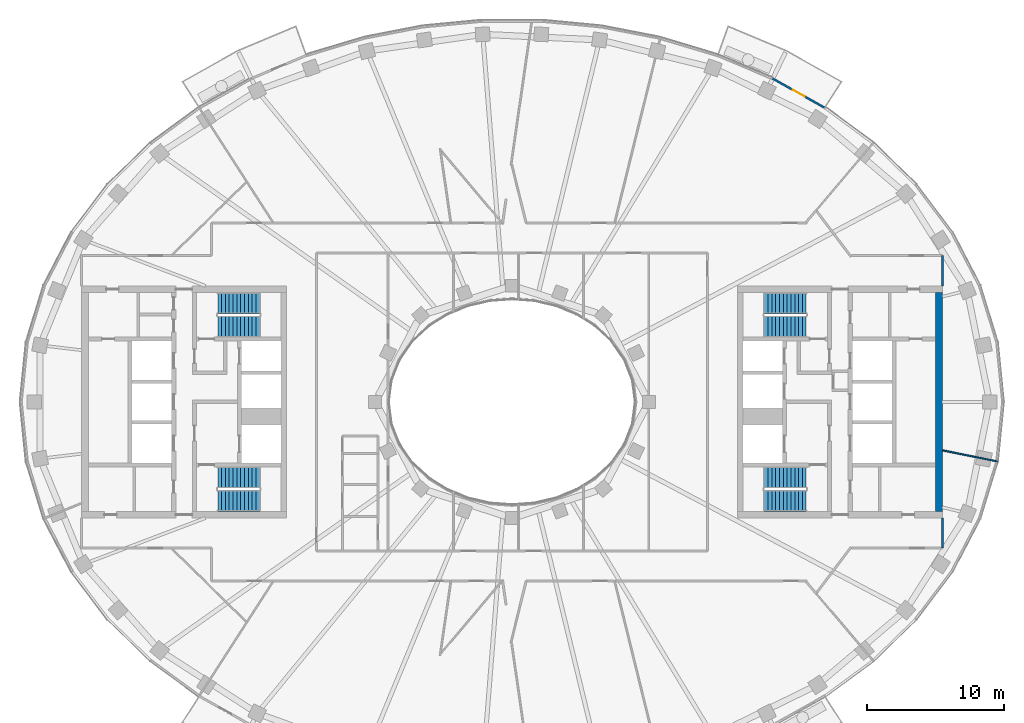
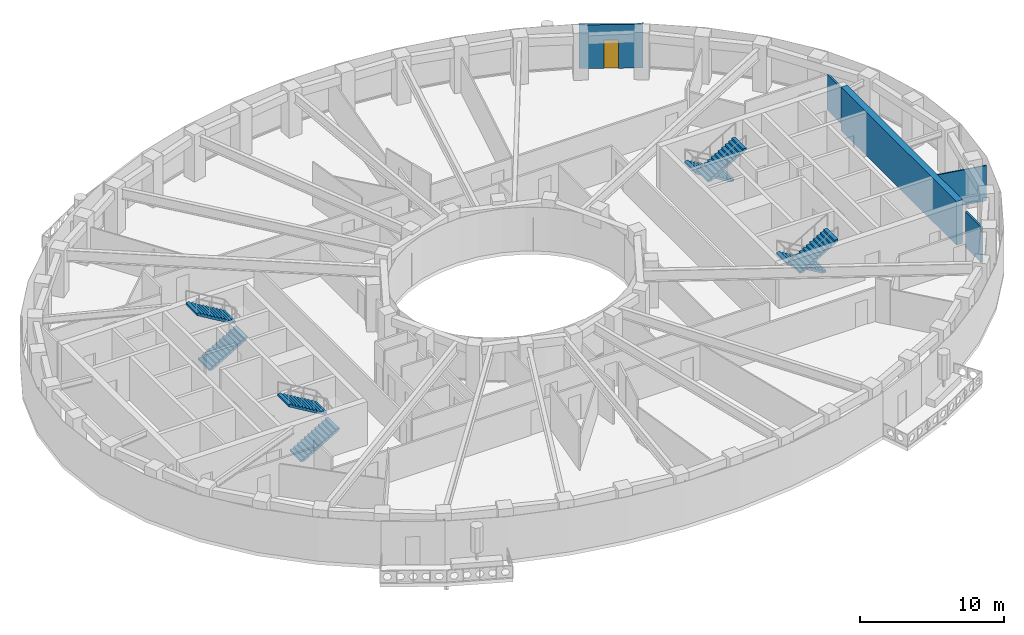
# One storey, part 7 of 15: 8 stair flights, 5 walls, 1 door, 1 opening, 4 elements without a shape of their own.
"""IFC4 building model written with IfcOpenShell, lengths in metres."""

from ifc_helpers import new_model, si_unit, direction, frame, frame_2d, origin, place, context, subcontext, project, spatial, polyline, rectangle, outline, extrude, material, layer, layer_set, type_object, element, fill, aggregate, save


model = new_model("IFC4")

# Units and contexts
model_context = context("Model", 3, precision=1e-05, world=origin(), true_north=direction((0.0, 1.0)))
body_context = subcontext(model_context, "Body", "Model", "MODEL_VIEW")
ifc_project = project(units=[si_unit("LENGTHUNIT", "METRE"), si_unit("AREAUNIT", "SQUARE_METRE"), si_unit("VOLUMEUNIT", "CUBIC_METRE"), si_unit("PLANEANGLEUNIT", "RADIAN"), si_unit("MASSUNIT", "GRAM", prefix="KILO")], contexts=[model_context])

# Site, building, storey
site_placement = place(None, origin())
site = spatial("IfcSite", under=ifc_project, at=site_placement, CompositionType="ELEMENT")
building_placement = place(site_placement, origin())
building = spatial("IfcBuilding", under=site, at=building_placement, Name="Noorbagh Ring Tower", CompositionType="ELEMENT")
storey_placement = place(building_placement, frame((0.0, 0.0, 265.5)))
storey = spatial("IfcBuildingStorey", under=building, at=storey_placement, Name="L56", CompositionType="ELEMENT", Elevation=265.5)

# Walls
ifc_material_1 = material(Name="Concrete C60/75", Category="concrete")
ifc_layer_1 = layer(ifc_material_1, 0.5)
ifc_layer_set_1 = layer_set([ifc_layer_1], Name="Concrete C60/75")
wall_type_1 = type_object("IfcWallType", Name="CORE-WALL-500-C60-75-EI240", PredefinedType="SHEAR", material=ifc_layer_set_1)
wall_1_placement = place(storey_placement, frame((31.25, -8.0, 0.0), z_axis=(0.0, 0.0, 1.0), x_axis=(0.0, 1.0, 0.0)))
element("IfcWall", 1, at=wall_1_placement, inside=storey, type_object=wall_type_1, Name="Core wall E", PredefinedType="SHEAR", context=body_context, shape_type="SweptSolid", body=[
    extrude(rectangle(XDim=16.0, YDim=0.5, at=frame_2d((8.0, 0.0))), origin(), (0.0, 0.0, 1.0), 3.699951171875),
])
ifc_material_2 = material(Name="Gypsum board on steel studs", Category="steel")
ifc_layer_2 = layer(ifc_material_2, 0.14990234375)
ifc_layer_set_2 = layer_set([ifc_layer_2], Name="Gypsum board on steel studs")
wall_type_2 = type_object("IfcWallType", Name="CORRIDOR PARTITION 150 EI 30", PredefinedType="PARTITIONING", material=ifc_layer_set_2)
for number, where, z_axis, x_axis, name in (
    (2, (31.5, -10.699951171875, 0.0), (0.0, 0.0, 1.0), (0.0, 1.0, 0.0), "L56/wall/P63"),
    (3, (31.5, 8.5, 0.0), (0.0, 0.0, 1.0), (0.0, 1.0, 0.0), "L56/wall/P65"),
):
    element("IfcWall", number, at=place(storey_placement, frame(where, z_axis=z_axis, x_axis=x_axis)), inside=storey, type_object=wall_type_2, Name=name, PredefinedType="PARTITIONING", context=body_context, shape_type="SweptSolid", body=[
        extrude(rectangle(XDim=2.199951171875, YDim=0.14990234375, at=frame_2d((1.10009765625, 0.0))), origin(), (0.0, 0.0, 1.0), 3.0),
    ])

# Wall, opening, door
ifc_material_3 = material(Name="Insulated aluminium clad panel", Category="aluminium")
ifc_layer_3 = layer(ifc_material_3, 0.14990234375)
ifc_layer_set_3 = layer_set([ifc_layer_3], Name="Insulated aluminium clad panel")
wall_type_3 = type_object("IfcWallType", Name="ENV-WALL-DOOR", PredefinedType="STANDARD", material=ifc_layer_set_3)
wall_2_placement = place(storey_placement, frame((22.913330078125, 21.508544921875, 0.0), z_axis=(0.0, 0.0, 1.0), x_axis=(-0.872046572975, 0.489422899509, 0.0)))
wall_2 = element("IfcWall", 4, at=wall_2_placement, inside=storey, type_object=wall_type_3, Name="Balcony door wall chord 07", PredefinedType="STANDARD", context=body_context, shape_type="SweptSolid", body=[
    extrude(rectangle(XDim=4.425537109375, YDim=0.14990234375, at=frame_2d((2.212890625, 0.0))), origin(), (0.0, 0.0, 1.0), 3.699951171875),
])
opening_placement = place(wall_2_placement, frame((1.712646484375, 0.0, 0.0)))
opening = element("IfcOpeningElement", 5, at=opening_placement, cuts=wall_2, Name="Opening D-BL", PredefinedType="OPENING", context=body_context, shape_type="SweptSolid", body=[
    extrude(rectangle(XDim=1.0, YDim=2.39990234375, at=frame_2d((0.5, 1.199951171875))), frame((0.0, 0.0849609375, 0.0), z_axis=(0.0, -1.0, 0.0), x_axis=(1.0, 0.0, 0.0)), (0.0, 0.0, 1.0), 0.169921875),
])
ifc_material_4 = material(Name="Aluminium and glass", Category="aluminium")
door_type = type_object("IfcDoorType", Name="ENV-DOOR-BALCONY", OperationType="SINGLE_SWING_LEFT", PredefinedType="DOOR", material=ifc_material_4)
door_placement = place(opening_placement, origin())
door = element("IfcDoor", 6, at=door_placement, inside=storey, type_object=door_type, Name="Balcony door chord 07", OperationType="SINGLE_SWING_LEFT", OverallHeight=2.39990234375, OverallWidth=1.0, PredefinedType="DOOR", context=body_context, shape_type="SweptSolid", body=[
    extrude(rectangle(XDim=1.0, YDim=2.39990234375, at=frame_2d((0.5, 1.199951171875))), frame((0.0, 0.02490234375, 0.0), z_axis=(0.0, -1.0, 0.0), x_axis=(1.0, 0.0, 0.0)), (0.0, 0.0, 1.0), 0.050048828125),
])
fill(opening, door)

# Wall
ifc_material_5 = material(Name="Gypsum board on steel studs", Category="steel")
ifc_layer_4 = layer(ifc_material_5, 0.10009765625)
ifc_layer_set_4 = layer_set([ifc_layer_4], Name="Gypsum board on steel studs")
wall_type_4 = type_object("IfcWallType", Name="PARTITION 100 GYPSUM", PredefinedType="PARTITIONING", material=ifc_layer_set_4)
wall_3_placement = place(storey_placement, frame((31.5, -3.5419921875, 0.0), z_axis=(0.0, 0.0, 1.0), x_axis=(0.980357474535, -0.197228857227, 0.0)))
element("IfcWall", 7, at=wall_3_placement, inside=storey, type_object=wall_type_4, Name="L56/wall/P64", PredefinedType="PARTITIONING", context=body_context, shape_type="SweptSolid", body=[
    extrude(rectangle(XDim=4.09228515625, YDim=0.10009765625, at=frame_2d((2.046142578125, 0.0))), origin(), (0.0, 0.0, 1.0), 3.0),
])

# Stair, stair flights
ifc_material_6 = material(Name="Concrete C40/50", Category="concrete")
stair_type = type_object("IfcStairType", Name="CORE-STAIR", PredefinedType="HALF_TURN_STAIR", material=ifc_material_6)
stair_1_placement = place(storey_placement, origin())
stair_1 = element("IfcStair", 8, at=stair_1_placement, inside=storey, type_object=stair_type, Name="L56 Exit stair ST1", PredefinedType="HALF_TURN_STAIR")
ifc_material_7 = material(Name="Concrete C40/50", Category="concrete")
stair_flight_type = type_object("IfcStairFlightType", Name="CORE-STAIR-FLIGHT", PredefinedType="STRAIGHT", material=ifc_material_7)
stair_flight_1_placement = place(storey_placement, frame((-21.530029296875, 5.52490234375, 0.0), z_axis=(0.0, 0.0, 1.0), x_axis=(1.0, 0.0, 0.0)))
stair_flight_1 = element("IfcStairFlight", 9, at=stair_flight_1_placement, type_object=stair_flight_type, Name="ST1 flight 1", NumberOfRisers=12, NumberOfTreads=11, PredefinedType="STRAIGHT", RiserHeight=0.166666667, TreadLength=0.28, context=body_context, shape_type="SweptSolid", body=[
    extrude(outline(polyline([(0.0, 0.0), (0.0, 0.166748046875), (0.280029296875, 0.166748046875), (0.280029296875, 0.333251953125), (0.56005859375, 0.333251953125), (0.56005859375, 0.5), (0.840087890625, 0.5), (0.840087890625, 0.666748046875), (1.1201171875, 0.666748046875), (1.1201171875, 0.833251953125), (1.39990234375, 0.833251953125), (1.39990234375, 1.0), (1.679931640625, 1.0), (1.679931640625, 1.166748046875), (1.9599609375, 1.166748046875), (1.9599609375, 1.333251953125), (2.239990234375, 1.333251953125), (2.239990234375, 1.5), (2.52001953125, 1.5), (2.52001953125, 1.666748046875), (2.800048828125, 1.666748046875), (2.800048828125, 1.833251953125), (3.080078125, 1.833251953125), (3.080078125, 2.0), (3.080078125, 1.658935546875), (0.29296875, 0.0), (0.0, 0.0)])), frame((0.0, 0.77490234375, 0.0), z_axis=(0.0, -1.0, 0.0), x_axis=(1.0, 0.0, 0.0)), (0.0, 0.0, 1.0), 1.550048828125),
])
stair_flight_2_placement = place(storey_placement, frame((-18.449951171875, 7.22509765625, 2.0), z_axis=(0.0, 0.0, 1.0), x_axis=(-1.0, 0.0, 0.0)))
stair_flight_2 = element("IfcStairFlight", 10, at=stair_flight_2_placement, type_object=stair_flight_type, Name="ST1 flight 2", NumberOfRisers=12, NumberOfTreads=11, PredefinedType="STRAIGHT", RiserHeight=0.166666667, TreadLength=0.28, context=body_context, shape_type="SweptSolid", body=[
    extrude(outline(polyline([(0.0, 0.0), (0.0, 0.166748046875), (0.280029296875, 0.166748046875), (0.280029296875, 0.333251953125), (0.56005859375, 0.333251953125), (0.56005859375, 0.5), (0.840087890625, 0.5), (0.840087890625, 0.666748046875), (1.1201171875, 0.666748046875), (1.1201171875, 0.833251953125), (1.39990234375, 0.833251953125), (1.39990234375, 1.0), (1.679931640625, 1.0), (1.679931640625, 1.166748046875), (1.9599609375, 1.166748046875), (1.9599609375, 1.333251953125), (2.239990234375, 1.333251953125), (2.239990234375, 1.5), (2.52001953125, 1.5), (2.52001953125, 1.666748046875), (2.800048828125, 1.666748046875), (2.800048828125, 1.833251953125), (3.080078125, 1.833251953125), (3.080078125, 2.0), (3.080078125, 1.658935546875), (0.29296875, 0.0), (0.0, 0.0)])), frame((0.0, 0.77490234375, 0.0), z_axis=(0.0, -1.0, 0.0), x_axis=(1.0, 0.0, 0.0)), (0.0, 0.0, 1.0), 1.550048828125),
])
aggregate(stair_1, [stair_flight_1, stair_flight_2])

stair_2_placement = place(storey_placement, origin())
stair_2 = element("IfcStair", 11, at=stair_2_placement, inside=storey, type_object=stair_type, Name="L56 Exit stair ST2", PredefinedType="HALF_TURN_STAIR")
stair_flight_3_placement = place(storey_placement, frame((-21.530029296875, -7.22509765625, 0.0), z_axis=(0.0, 0.0, 1.0), x_axis=(1.0, 0.0, 0.0)))
stair_flight_3 = element("IfcStairFlight", 12, at=stair_flight_3_placement, type_object=stair_flight_type, Name="ST2 flight 1", NumberOfRisers=12, NumberOfTreads=11, PredefinedType="STRAIGHT", RiserHeight=0.166666667, TreadLength=0.28, context=body_context, shape_type="SweptSolid", body=[
    extrude(outline(polyline([(0.0, 0.0), (0.0, 0.166748046875), (0.280029296875, 0.166748046875), (0.280029296875, 0.333251953125), (0.56005859375, 0.333251953125), (0.56005859375, 0.5), (0.840087890625, 0.5), (0.840087890625, 0.666748046875), (1.1201171875, 0.666748046875), (1.1201171875, 0.833251953125), (1.39990234375, 0.833251953125), (1.39990234375, 1.0), (1.679931640625, 1.0), (1.679931640625, 1.166748046875), (1.9599609375, 1.166748046875), (1.9599609375, 1.333251953125), (2.239990234375, 1.333251953125), (2.239990234375, 1.5), (2.52001953125, 1.5), (2.52001953125, 1.666748046875), (2.800048828125, 1.666748046875), (2.800048828125, 1.833251953125), (3.080078125, 1.833251953125), (3.080078125, 2.0), (3.080078125, 1.658935546875), (0.29296875, 0.0), (0.0, 0.0)])), frame((0.0, 0.77490234375, 0.0), z_axis=(0.0, -1.0, 0.0), x_axis=(1.0, 0.0, 0.0)), (0.0, 0.0, 1.0), 1.550048828125),
])
stair_flight_4_placement = place(storey_placement, frame((-18.449951171875, -5.52490234375, 2.0), z_axis=(0.0, 0.0, 1.0), x_axis=(-1.0, 0.0, 0.0)))
stair_flight_4 = element("IfcStairFlight", 13, at=stair_flight_4_placement, type_object=stair_flight_type, Name="ST2 flight 2", NumberOfRisers=12, NumberOfTreads=11, PredefinedType="STRAIGHT", RiserHeight=0.166666667, TreadLength=0.28, context=body_context, shape_type="SweptSolid", body=[
    extrude(outline(polyline([(0.0, 0.0), (0.0, 0.166748046875), (0.280029296875, 0.166748046875), (0.280029296875, 0.333251953125), (0.56005859375, 0.333251953125), (0.56005859375, 0.5), (0.840087890625, 0.5), (0.840087890625, 0.666748046875), (1.1201171875, 0.666748046875), (1.1201171875, 0.833251953125), (1.39990234375, 0.833251953125), (1.39990234375, 1.0), (1.679931640625, 1.0), (1.679931640625, 1.166748046875), (1.9599609375, 1.166748046875), (1.9599609375, 1.333251953125), (2.239990234375, 1.333251953125), (2.239990234375, 1.5), (2.52001953125, 1.5), (2.52001953125, 1.666748046875), (2.800048828125, 1.666748046875), (2.800048828125, 1.833251953125), (3.080078125, 1.833251953125), (3.080078125, 2.0), (3.080078125, 1.658935546875), (0.29296875, 0.0), (0.0, 0.0)])), frame((0.0, 0.77490234375, 0.0), z_axis=(0.0, -1.0, 0.0), x_axis=(1.0, 0.0, 0.0)), (0.0, 0.0, 1.0), 1.550048828125),
])
aggregate(stair_2, [stair_flight_3, stair_flight_4])

stair_3_placement = place(storey_placement, origin())
stair_3 = element("IfcStair", 14, at=stair_3_placement, inside=storey, type_object=stair_type, Name="L56 Exit stair ST3", PredefinedType="HALF_TURN_STAIR")
stair_flight_5_placement = place(storey_placement, frame((21.530029296875, 7.22509765625, 0.0), z_axis=(0.0, 0.0, 1.0), x_axis=(-1.0, 0.0, 0.0)))
stair_flight_5 = element("IfcStairFlight", 15, at=stair_flight_5_placement, type_object=stair_flight_type, Name="ST3 flight 1", NumberOfRisers=12, NumberOfTreads=11, PredefinedType="STRAIGHT", RiserHeight=0.166666667, TreadLength=0.28, context=body_context, shape_type="SweptSolid", body=[
    extrude(outline(polyline([(0.0, 0.0), (0.0, 0.166748046875), (0.280029296875, 0.166748046875), (0.280029296875, 0.333251953125), (0.56005859375, 0.333251953125), (0.56005859375, 0.5), (0.840087890625, 0.5), (0.840087890625, 0.666748046875), (1.1201171875, 0.666748046875), (1.1201171875, 0.833251953125), (1.39990234375, 0.833251953125), (1.39990234375, 1.0), (1.679931640625, 1.0), (1.679931640625, 1.166748046875), (1.9599609375, 1.166748046875), (1.9599609375, 1.333251953125), (2.239990234375, 1.333251953125), (2.239990234375, 1.5), (2.52001953125, 1.5), (2.52001953125, 1.666748046875), (2.800048828125, 1.666748046875), (2.800048828125, 1.833251953125), (3.080078125, 1.833251953125), (3.080078125, 2.0), (3.080078125, 1.658935546875), (0.29296875, 0.0), (0.0, 0.0)])), frame((0.0, 0.77490234375, 0.0), z_axis=(0.0, -1.0, 0.0), x_axis=(1.0, 0.0, 0.0)), (0.0, 0.0, 1.0), 1.550048828125),
])
stair_flight_6_placement = place(storey_placement, frame((18.449951171875, 5.52490234375, 2.0), z_axis=(0.0, 0.0, 1.0), x_axis=(1.0, 0.0, 0.0)))
stair_flight_6 = element("IfcStairFlight", 16, at=stair_flight_6_placement, type_object=stair_flight_type, Name="ST3 flight 2", NumberOfRisers=12, NumberOfTreads=11, PredefinedType="STRAIGHT", RiserHeight=0.166666667, TreadLength=0.28, context=body_context, shape_type="SweptSolid", body=[
    extrude(outline(polyline([(0.0, 0.0), (0.0, 0.166748046875), (0.280029296875, 0.166748046875), (0.280029296875, 0.333251953125), (0.56005859375, 0.333251953125), (0.56005859375, 0.5), (0.840087890625, 0.5), (0.840087890625, 0.666748046875), (1.1201171875, 0.666748046875), (1.1201171875, 0.833251953125), (1.39990234375, 0.833251953125), (1.39990234375, 1.0), (1.679931640625, 1.0), (1.679931640625, 1.166748046875), (1.9599609375, 1.166748046875), (1.9599609375, 1.333251953125), (2.239990234375, 1.333251953125), (2.239990234375, 1.5), (2.52001953125, 1.5), (2.52001953125, 1.666748046875), (2.800048828125, 1.666748046875), (2.800048828125, 1.833251953125), (3.080078125, 1.833251953125), (3.080078125, 2.0), (3.080078125, 1.658935546875), (0.29296875, 0.0), (0.0, 0.0)])), frame((0.0, 0.77490234375, 0.0), z_axis=(0.0, -1.0, 0.0), x_axis=(1.0, 0.0, 0.0)), (0.0, 0.0, 1.0), 1.550048828125),
])
aggregate(stair_3, [stair_flight_5, stair_flight_6])

stair_4_placement = place(storey_placement, origin())
stair_4 = element("IfcStair", 17, at=stair_4_placement, inside=storey, type_object=stair_type, Name="L56 Exit stair ST4", PredefinedType="HALF_TURN_STAIR")
stair_flight_7_placement = place(storey_placement, frame((21.530029296875, -5.52490234375, 0.0), z_axis=(0.0, 0.0, 1.0), x_axis=(-1.0, 0.0, 0.0)))
stair_flight_7 = element("IfcStairFlight", 18, at=stair_flight_7_placement, type_object=stair_flight_type, Name="ST4 flight 1", NumberOfRisers=12, NumberOfTreads=11, PredefinedType="STRAIGHT", RiserHeight=0.166666667, TreadLength=0.28, context=body_context, shape_type="SweptSolid", body=[
    extrude(outline(polyline([(0.0, 0.0), (0.0, 0.166748046875), (0.280029296875, 0.166748046875), (0.280029296875, 0.333251953125), (0.56005859375, 0.333251953125), (0.56005859375, 0.5), (0.840087890625, 0.5), (0.840087890625, 0.666748046875), (1.1201171875, 0.666748046875), (1.1201171875, 0.833251953125), (1.39990234375, 0.833251953125), (1.39990234375, 1.0), (1.679931640625, 1.0), (1.679931640625, 1.166748046875), (1.9599609375, 1.166748046875), (1.9599609375, 1.333251953125), (2.239990234375, 1.333251953125), (2.239990234375, 1.5), (2.52001953125, 1.5), (2.52001953125, 1.666748046875), (2.800048828125, 1.666748046875), (2.800048828125, 1.833251953125), (3.080078125, 1.833251953125), (3.080078125, 2.0), (3.080078125, 1.658935546875), (0.29296875, 0.0), (0.0, 0.0)])), frame((0.0, 0.77490234375, 0.0), z_axis=(0.0, -1.0, 0.0), x_axis=(1.0, 0.0, 0.0)), (0.0, 0.0, 1.0), 1.550048828125),
])
stair_flight_8_placement = place(storey_placement, frame((18.449951171875, -7.22509765625, 2.0), z_axis=(0.0, 0.0, 1.0), x_axis=(1.0, 0.0, 0.0)))
stair_flight_8 = element("IfcStairFlight", 19, at=stair_flight_8_placement, type_object=stair_flight_type, Name="ST4 flight 2", NumberOfRisers=12, NumberOfTreads=11, PredefinedType="STRAIGHT", RiserHeight=0.166666667, TreadLength=0.28, context=body_context, shape_type="SweptSolid", body=[
    extrude(outline(polyline([(0.0, 0.0), (0.0, 0.166748046875), (0.280029296875, 0.166748046875), (0.280029296875, 0.333251953125), (0.56005859375, 0.333251953125), (0.56005859375, 0.5), (0.840087890625, 0.5), (0.840087890625, 0.666748046875), (1.1201171875, 0.666748046875), (1.1201171875, 0.833251953125), (1.39990234375, 0.833251953125), (1.39990234375, 1.0), (1.679931640625, 1.0), (1.679931640625, 1.166748046875), (1.9599609375, 1.166748046875), (1.9599609375, 1.333251953125), (2.239990234375, 1.333251953125), (2.239990234375, 1.5), (2.52001953125, 1.5), (2.52001953125, 1.666748046875), (2.800048828125, 1.666748046875), (2.800048828125, 1.833251953125), (3.080078125, 1.833251953125), (3.080078125, 2.0), (3.080078125, 1.658935546875), (0.29296875, 0.0), (0.0, 0.0)])), frame((0.0, 0.77490234375, 0.0), z_axis=(0.0, -1.0, 0.0), x_axis=(1.0, 0.0, 0.0)), (0.0, 0.0, 1.0), 1.550048828125),
])
aggregate(stair_4, [stair_flight_7, stair_flight_8])

save(model, "model.ifc")
